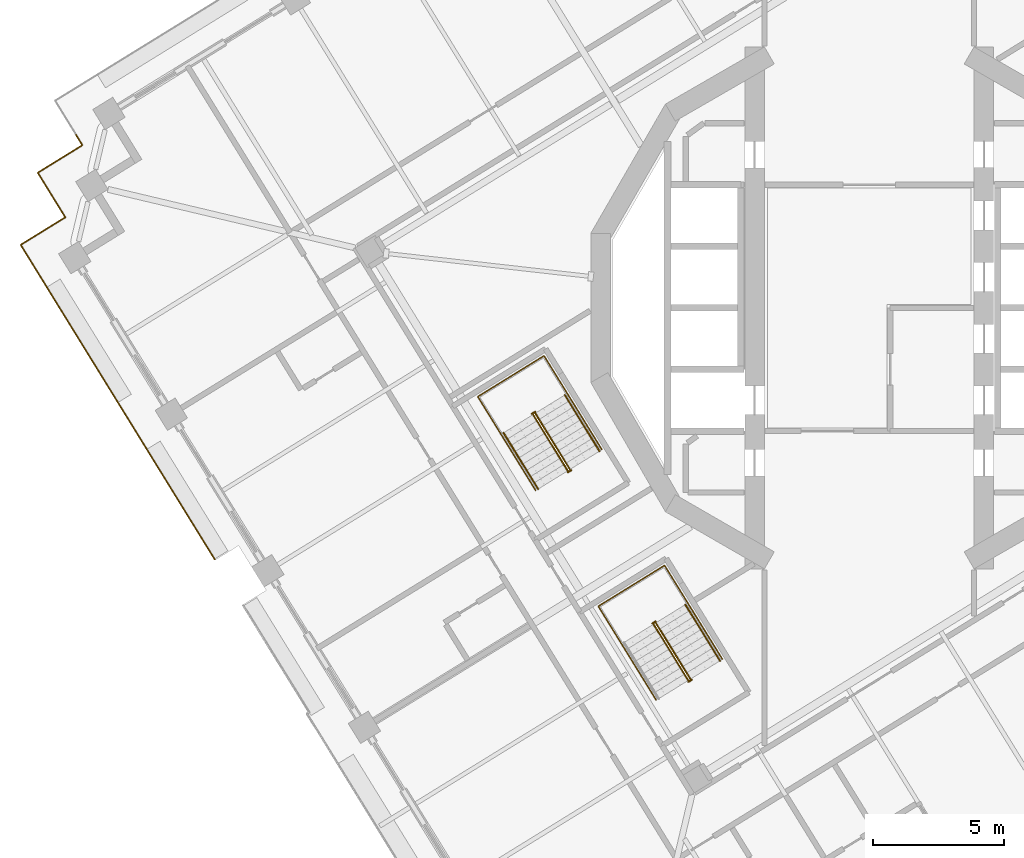
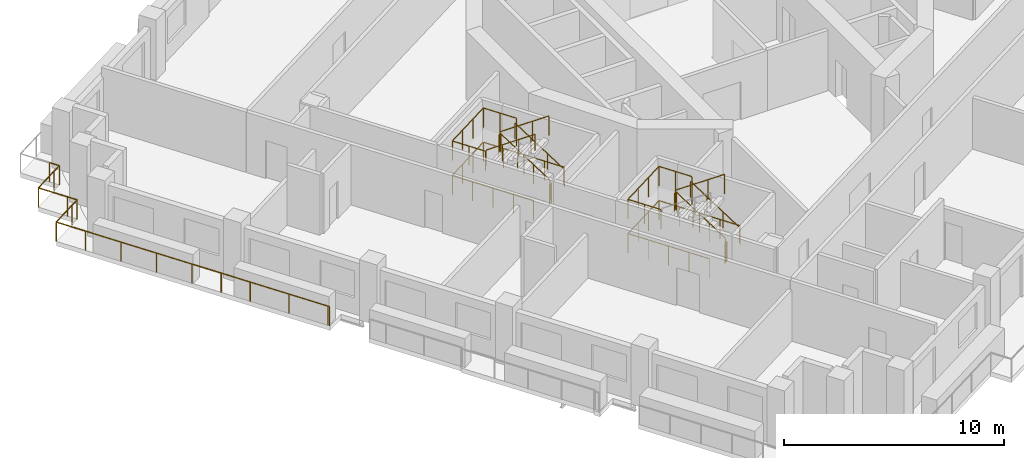
# One storey, part 15 of 21: 14 railings.
"""IFC4 building model written with IfcOpenShell, lengths in metres."""

from ifc_helpers import new_model, si_unit, direction, frame, origin, origin_2d, place, context, subcontext, project, spatial, circle, extrude, material, type_object, element, save


model = new_model("IFC4")

# Units and contexts
model_context = context("Model", 3, precision=1e-05, world=origin(), true_north=direction((0.0, 1.0)))
body_context = subcontext(model_context, "Body", "Model", "MODEL_VIEW")
ifc_project = project(units=[si_unit("LENGTHUNIT", "METRE"), si_unit("AREAUNIT", "SQUARE_METRE"), si_unit("VOLUMEUNIT", "CUBIC_METRE"), si_unit("PLANEANGLEUNIT", "RADIAN"), si_unit("MASSUNIT", "GRAM", prefix="KILO")], contexts=[model_context])

# Site, building, storey
site_placement = place(None, origin())
site = spatial("IfcSite", under=ifc_project, at=site_placement, CompositionType="ELEMENT")
building_placement = place(site_placement, origin())
building = spatial("IfcBuilding", under=site, at=building_placement, Name="Cantera Rosa Tower", CompositionType="ELEMENT")
storey_placement = place(building_placement, frame((0.0, 0.0, 185.60009765625)))
storey = spatial("IfcBuildingStorey", under=building, at=storey_placement, Name="L41", CompositionType="ELEMENT", Elevation=185.60009765625)

# Railings
ifc_material_1 = material(Name="Stainless steel and laminated glass", Category="steel")
railing_type_1 = type_object("IfcRailingType", Name="GUARD 1100", PredefinedType="BALUSTRADE", material=ifc_material_1)
railing_1_placement = place(storey_placement, frame((-24.977783203125, -9.602294921875, 0.0)))
element("IfcRailing", 1, at=railing_1_placement, inside=storey, type_object=railing_type_1, Name="GUARD L41-5", PredefinedType="BALUSTRADE", context=body_context, shape_type="SweptSolid", body=[
    extrude(circle(Radius=0.030029296875, at=origin_2d()), frame((0.0, 0.0, 1.070068359375), z_axis=(-0.523707774199, 0.851897979364, 0.0), x_axis=(-0.851897979364, -0.523707774199, 0.0)), (0.0, 0.0, 1.0), 0.06982421875),
    extrude(circle(Radius=0.030029296875, at=origin_2d()), frame((-0.03662109375, 0.0595703125, 1.070068359375), z_axis=(-0.525022161202, 0.851088556054, 0.0), x_axis=(-0.851088556054, -0.525022161202, 0.0)), (0.0, 0.0, 1.0), 4.02001953125),
    extrude(circle(Radius=0.030029296875, at=origin_2d()), frame((-2.147216796875, 3.48095703125, 1.070068359375), z_axis=(-0.524964362564, 0.851124208349, 0.0), x_axis=(-0.851124208349, -0.524964362564, 0.0)), (0.0, 0.0, 1.0), 3.0),
    extrude(circle(Radius=0.030029296875, at=origin_2d()), frame((-3.72216796875, 6.034423828125, 1.070068359375), z_axis=(-0.524968277683, 0.851121793533, 0.0), x_axis=(-0.851121793533, -0.524968277683, 0.0)), (0.0, 0.0, 1.0), 5.519775390625),
    extrude(circle(Radius=0.030029296875, at=origin_2d()), frame((-6.619873046875, 10.732421875, 1.070068359375), z_axis=(-0.524986950369, 0.851110276017, 0.0), x_axis=(-0.851110276017, -0.524986950369, 0.0)), (0.0, 0.0, 1.0), 1.500244140625),
    extrude(circle(Radius=0.030029296875, at=origin_2d()), frame((-7.407470703125, 12.00927734375, 1.070068359375), z_axis=(0.85118298814, 0.524869051004, 0.0), x_axis=(-0.524869051004, 0.85118298814, 0.0)), (0.0, 0.0, 1.0), 1.5),
    extrude(circle(Radius=0.030029296875, at=origin_2d()), frame((-6.130615234375, 12.796630859375, 1.070068359375), z_axis=(0.851138143202, 0.52494176933, 0.0), x_axis=(-0.52494176933, 0.851138143202, 0.0)), (0.0, 0.0, 1.0), 0.5),
    extrude(circle(Radius=0.030029296875, at=origin_2d()), frame((-5.705078125, 13.05908203125, 1.070068359375), z_axis=(-0.52494176933, 0.851138143202, 0.0), x_axis=(-0.851138143202, -0.52494176933, 0.0)), (0.0, 0.0, 1.0), 0.5),
    extrude(circle(Radius=0.030029296875, at=origin_2d()), frame((-5.967529296875, 13.484619140625, 1.070068359375), z_axis=(-0.524986950369, 0.851110276017, 0.0), x_axis=(-0.851110276017, -0.524986950369, 0.0)), (0.0, 0.0, 1.0), 1.500244140625),
    extrude(circle(Radius=0.030029296875, at=origin_2d()), frame((-6.755126953125, 14.761474609375, 1.070068359375), z_axis=(0.851138143202, 0.52494176933, 0.0), x_axis=(-0.52494176933, 0.851138143202, 0.0)), (0.0, 0.0, 1.0), 1.5),
    extrude(circle(Radius=0.030029296875, at=origin_2d()), frame((-5.478515625, 15.548828125, 1.070068359375), z_axis=(0.851138143202, 0.52494176933, 0.0), x_axis=(-0.52494176933, 0.851138143202, 0.0)), (0.0, 0.0, 1.0), 0.5),
    extrude(circle(Radius=0.030029296875, at=origin_2d()), frame((-5.052978515625, 15.811279296875, 1.070068359375), z_axis=(-0.52494176933, 0.851138143202, 0.0), x_axis=(-0.851138143202, -0.52494176933, 0.0)), (0.0, 0.0, 1.0), 0.5),
    extrude(circle(Radius=0.02490234375, at=origin_2d()), origin(), (0.0, 0.0, 1.0), 1.0400390625),
    extrude(circle(Radius=0.02490234375, at=origin_2d()), frame((-0.03662109375, 0.0595703125, 0.0)), (0.0, 0.0, 1.0), 1.0400390625),
    extrude(circle(Radius=0.02490234375, at=origin_2d()), frame((-1.091796875, 1.770263671875, 0.0)), (0.0, 0.0, 1.0), 1.0400390625),
    extrude(circle(Radius=0.02490234375, at=origin_2d()), frame((-2.147216796875, 3.48095703125, 0.0)), (0.0, 0.0, 1.0), 1.0400390625),
    extrude(circle(Radius=0.02490234375, at=origin_2d()), frame((-2.9345703125, 4.7578125, 0.0)), (0.0, 0.0, 1.0), 1.0400390625),
    extrude(circle(Radius=0.02490234375, at=origin_2d()), frame((-3.72216796875, 6.034423828125, 0.0)), (0.0, 0.0, 1.0), 1.0400390625),
    extrude(circle(Radius=0.02490234375, at=origin_2d()), frame((-4.68798828125, 7.600341796875, 0.0)), (0.0, 0.0, 1.0), 1.0400390625),
    extrude(circle(Radius=0.02490234375, at=origin_2d()), frame((-5.654052734375, 9.16650390625, 0.0)), (0.0, 0.0, 1.0), 1.0400390625),
    extrude(circle(Radius=0.02490234375, at=origin_2d()), frame((-6.619873046875, 10.732421875, 0.0)), (0.0, 0.0, 1.0), 1.0400390625),
    extrude(circle(Radius=0.02490234375, at=origin_2d()), frame((-7.407470703125, 12.00927734375, 0.0)), (0.0, 0.0, 1.0), 1.0400390625),
    extrude(circle(Radius=0.02490234375, at=origin_2d()), frame((-6.130615234375, 12.796630859375, 0.0)), (0.0, 0.0, 1.0), 1.0400390625),
    extrude(circle(Radius=0.02490234375, at=origin_2d()), frame((-5.705078125, 13.05908203125, 0.0)), (0.0, 0.0, 1.0), 1.0400390625),
    extrude(circle(Radius=0.02490234375, at=origin_2d()), frame((-5.967529296875, 13.484619140625, 0.0)), (0.0, 0.0, 1.0), 1.0400390625),
    extrude(circle(Radius=0.02490234375, at=origin_2d()), frame((-6.755126953125, 14.761474609375, 0.0)), (0.0, 0.0, 1.0), 1.0400390625),
    extrude(circle(Radius=0.02490234375, at=origin_2d()), frame((-5.478515625, 15.548828125, 0.0)), (0.0, 0.0, 1.0), 1.0400390625),
    extrude(circle(Radius=0.02490234375, at=origin_2d()), frame((-5.052978515625, 15.811279296875, 0.0)), (0.0, 0.0, 1.0), 1.0400390625),
    extrude(circle(Radius=0.02490234375, at=origin_2d()), frame((-5.3154296875, 16.23681640625, 0.0)), (0.0, 0.0, 1.0), 1.0400390625),
])
ifc_material_2 = material(Name="Steel S355J2 (EN 10025-2)", Category="steel")
railing_type_2 = type_object("IfcRailingType", Name="STAIR GUARD 1100", PredefinedType="GUARDRAIL", material=ifc_material_2)
railing_2_placement = place(storey_placement, frame((-11.42333984375, -6.165771484375, 0.18994140625)))
element("IfcRailing", 2, at=railing_2_placement, inside=storey, type_object=railing_type_2, Name="L41 ST-32 stair guard 1", PredefinedType="GUARDRAIL", context=body_context, shape_type="SweptSolid", body=[
    extrude(circle(Radius=0.02392578125, at=origin_2d()), frame((0.0, 0.0, 1.076171875), z_axis=(-0.434427613125, 0.704271375033, 0.561493080334), x_axis=(-0.851102330005, -0.524999832248, 0.0)), (0.0, 0.0, 1.0), 3.04541015625),
    extrude(circle(Radius=0.02392578125, at=origin_2d()), frame((-1.322998046875, 2.144775390625, 2.7861328125), z_axis=(-0.073711968402, 0.997279572494, 0.0), x_axis=(-0.997279572494, -0.073711968402, 0.0)), (0.0, 0.0, 1.0), 0.056396484375),
    extrude(circle(Radius=0.02392578125, at=origin_2d()), frame((-1.3271484375, 2.200927734375, 2.7861328125), z_axis=(-0.851546489876, -0.524279100842, 0.0), x_axis=(0.524279100842, -0.851546489876, 0.0)), (0.0, 0.0, 1.0), 0.14990234375),
    extrude(circle(Radius=0.02099609375, at=origin_2d()), origin(), (0.0, 0.0, 1.0), 1.052001953125),
    extrude(circle(Radius=0.02099609375, at=origin_2d()), frame((-0.44091796875, 0.71484375, 0.570068359375)), (0.0, 0.0, 1.0), 1.052001953125),
    extrude(circle(Radius=0.02099609375, at=origin_2d()), frame((-0.882080078125, 1.429931640625, 1.139892578125)), (0.0, 0.0, 1.0), 1.052001953125),
    extrude(circle(Radius=0.02099609375, at=origin_2d()), frame((-1.322998046875, 2.144775390625, 1.7099609375)), (0.0, 0.0, 1.0), 1.052001953125),
    extrude(circle(Radius=0.02099609375, at=origin_2d()), frame((-1.3271484375, 2.200927734375, 1.7099609375)), (0.0, 0.0, 1.0), 1.052001953125),
    extrude(circle(Radius=0.02099609375, at=origin_2d()), frame((-1.454833984375, 2.122314453125, 1.7099609375)), (0.0, 0.0, 1.0), 1.052001953125),
])
railing_3_placement = place(storey_placement, frame((-12.82958984375, -4.072509765625, 2.08984375)))
element("IfcRailing", 3, at=railing_3_placement, inside=storey, type_object=railing_type_2, Name="L41 ST-32 stair guard 2", PredefinedType="GUARDRAIL", context=body_context, shape_type="SweptSolid", body=[
    extrude(circle(Radius=0.02392578125, at=origin_2d()), frame((0.0, 0.0, 1.076171875), z_axis=(0.434362572038, -0.70429590169, 0.561512634654), x_axis=(0.851145618652, 0.524929648476, 0.0)), (0.0, 0.0, 1.0), 3.045166015625),
    extrude(circle(Radius=0.02099609375, at=origin_2d()), origin(), (0.0, 0.0, 1.0), 1.052001953125),
    extrude(circle(Radius=0.02099609375, at=origin_2d()), frame((0.44091796875, -0.71484375, 0.570068359375)), (0.0, 0.0, 1.0), 1.052001953125),
    extrude(circle(Radius=0.02099609375, at=origin_2d()), frame((0.8818359375, -1.429931640625, 1.139892578125)), (0.0, 0.0, 1.0), 1.052001953125),
    extrude(circle(Radius=0.02099609375, at=origin_2d()), frame((1.32275390625, -2.144775390625, 1.7099609375)), (0.0, 0.0, 1.0), 1.052001953125),
])
railing_4_placement = place(storey_placement, frame((-11.375, -6.19482421875, 0.0)))
element("IfcRailing", 4, at=railing_4_placement, inside=storey, type_object=railing_type_2, Name="L41 ST-32 stair guard 3", PredefinedType="GUARDRAIL", context=body_context, shape_type="SweptSolid", body=[
    extrude(circle(Radius=0.02392578125, at=origin_2d()), frame((0.0, 0.0, 1.076171875), z_axis=(-0.851546489876, -0.524279100842, 0.0), x_axis=(0.524279100842, -0.851546489876, 0.0)), (0.0, 0.0, 1.0), 0.14990234375),
    extrude(circle(Radius=0.02099609375, at=origin_2d()), origin(), (0.0, 0.0, 1.0), 1.052001953125),
    extrude(circle(Radius=0.02099609375, at=origin_2d()), frame((-0.127685546875, -0.07861328125, 0.0)), (0.0, 0.0, 1.0), 1.052001953125),
])
railing_5_placement = place(storey_placement, frame((-10.20751953125, -5.40185546875, 0.0)))
element("IfcRailing", 5, at=railing_5_placement, inside=storey, type_object=railing_type_2, Name="L41 ST-32 stair guard 4", PredefinedType="GUARDRAIL", context=body_context, shape_type="SweptSolid", body=[
    extrude(circle(Radius=0.02392578125, at=origin_2d()), frame((0.0, 0.0, 1.076171875), z_axis=(-0.524976478809, 0.851116735059, 0.0), x_axis=(-0.851116735059, -0.524976478809, 0.0)), (0.0, 0.0, 1.0), 4.197998046875),
    extrude(circle(Radius=0.02392578125, at=origin_2d()), frame((-2.203857421875, 3.572998046875, 1.076171875), z_axis=(-0.851132917336, -0.524950242429, 0.0), x_axis=(0.524950242429, -0.851132917336, 0.0)), (0.0, 0.0, 1.0), 2.969970703125),
    extrude(circle(Radius=0.02392578125, at=origin_2d()), frame((-4.731689453125, 2.013916015625, 1.076171875), z_axis=(0.524976478809, -0.851116735059, 0.0), x_axis=(0.851116735059, 0.524976478809, 0.0)), (0.0, 0.0, 1.0), 4.197998046875),
    extrude(circle(Radius=0.02099609375, at=origin_2d()), origin(), (0.0, 0.0, 1.0), 1.052001953125),
    extrude(circle(Radius=0.02099609375, at=origin_2d()), frame((-0.551025390625, 0.893310546875, 0.0)), (0.0, 0.0, 1.0), 1.052001953125),
    extrude(circle(Radius=0.02099609375, at=origin_2d()), frame((-1.10205078125, 1.78662109375, 0.0)), (0.0, 0.0, 1.0), 1.052001953125),
    extrude(circle(Radius=0.02099609375, at=origin_2d()), frame((-1.65283203125, 2.6796875, 0.0)), (0.0, 0.0, 1.0), 1.052001953125),
    extrude(circle(Radius=0.02099609375, at=origin_2d()), frame((-2.203857421875, 3.572998046875, 0.0)), (0.0, 0.0, 1.0), 1.052001953125),
    extrude(circle(Radius=0.02099609375, at=origin_2d()), frame((-3.04638671875, 3.05322265625, 0.0)), (0.0, 0.0, 1.0), 1.052001953125),
    extrude(circle(Radius=0.02099609375, at=origin_2d()), frame((-3.88916015625, 2.53369140625, 0.0)), (0.0, 0.0, 1.0), 1.052001953125),
    extrude(circle(Radius=0.02099609375, at=origin_2d()), frame((-4.731689453125, 2.013916015625, 0.0)), (0.0, 0.0, 1.0), 1.052001953125),
    extrude(circle(Radius=0.02099609375, at=origin_2d()), frame((-4.1806640625, 1.12060546875, 0.0)), (0.0, 0.0, 1.0), 1.052001953125),
    extrude(circle(Radius=0.02099609375, at=origin_2d()), frame((-3.6298828125, 0.2275390625, 0.0)), (0.0, 0.0, 1.0), 1.052001953125),
    extrude(circle(Radius=0.02099609375, at=origin_2d()), frame((-3.078857421875, -0.665771484375, 0.0)), (0.0, 0.0, 1.0), 1.052001953125),
    extrude(circle(Radius=0.02099609375, at=origin_2d()), frame((-2.52783203125, -1.55908203125, 0.0)), (0.0, 0.0, 1.0), 1.052001953125),
])
railing_6_placement = place(storey_placement, frame((-11.517822265625, -3.27734375, 1.89990234375)))
element("IfcRailing", 6, at=railing_6_placement, inside=storey, type_object=railing_type_2, Name="L41 ST-32 stair guard 5", PredefinedType="GUARDRAIL", context=body_context, shape_type="SweptSolid", body=[
    extrude(circle(Radius=0.02392578125, at=origin_2d()), frame((0.0, 0.0, 1.076171875), z_axis=(-0.525025534833, 0.851086474909, 0.0), x_axis=(-0.851086474909, -0.525025534833, 0.0)), (0.0, 0.0, 1.0), 1.701904296875),
    extrude(circle(Radius=0.02392578125, at=origin_2d()), frame((-0.8935546875, 1.448486328125, 1.076171875), z_axis=(-0.851132917336, -0.524950242429, 0.0), x_axis=(0.524950242429, -0.851132917336, 0.0)), (0.0, 0.0, 1.0), 2.969970703125),
    extrude(circle(Radius=0.02392578125, at=origin_2d()), frame((-3.42138671875, -0.110595703125, 1.076171875), z_axis=(0.524961441845, -0.851126009811, 0.0), x_axis=(0.851126009811, 0.524961441845, 0.0)), (0.0, 0.0, 1.0), 1.7021484375),
    extrude(circle(Radius=0.02099609375, at=origin_2d()), origin(), (0.0, 0.0, 1.0), 1.052001953125),
    extrude(circle(Radius=0.02099609375, at=origin_2d()), frame((-0.44677734375, 0.72412109375, 0.0)), (0.0, 0.0, 1.0), 1.052001953125),
    extrude(circle(Radius=0.02099609375, at=origin_2d()), frame((-0.8935546875, 1.448486328125, 0.0)), (0.0, 0.0, 1.0), 1.052001953125),
    extrude(circle(Radius=0.02099609375, at=origin_2d()), frame((-1.736083984375, 0.9287109375, 0.0)), (0.0, 0.0, 1.0), 1.052001953125),
    extrude(circle(Radius=0.02099609375, at=origin_2d()), frame((-2.578857421875, 0.4091796875, 0.0)), (0.0, 0.0, 1.0), 1.052001953125),
    extrude(circle(Radius=0.02099609375, at=origin_2d()), frame((-3.42138671875, -0.110595703125, 0.0)), (0.0, 0.0, 1.0), 1.052001953125),
    extrude(circle(Radius=0.02099609375, at=origin_2d()), frame((-2.974609375, -0.8349609375, 0.0)), (0.0, 0.0, 1.0), 1.052001953125),
    extrude(circle(Radius=0.02099609375, at=origin_2d()), frame((-2.52783203125, -1.559326171875, 0.0)), (0.0, 0.0, 1.0), 1.052001953125),
])
railing_7_placement = place(storey_placement, frame((-6.8232421875, -14.165771484375, 0.18994140625)))
element("IfcRailing", 7, at=railing_7_placement, inside=storey, type_object=railing_type_2, Name="L41 ST-33 stair guard 1", PredefinedType="GUARDRAIL", context=body_context, shape_type="SweptSolid", body=[
    extrude(circle(Radius=0.02392578125, at=origin_2d()), frame((0.0, 0.0, 1.076171875), z_axis=(-0.434427613125, 0.704271375033, 0.561493080334), x_axis=(-0.851102330005, -0.524999832248, 0.0)), (0.0, 0.0, 1.0), 3.04541015625),
    extrude(circle(Radius=0.02392578125, at=origin_2d()), frame((-1.322998046875, 2.144775390625, 2.7861328125), z_axis=(-0.073711968402, 0.997279572494, 0.0), x_axis=(-0.997279572494, -0.073711968402, 0.0)), (0.0, 0.0, 1.0), 0.056396484375),
    extrude(circle(Radius=0.02392578125, at=origin_2d()), frame((-1.3271484375, 2.200927734375, 2.7861328125), z_axis=(-0.851546489876, -0.524279100842, 0.0), x_axis=(0.524279100842, -0.851546489876, 0.0)), (0.0, 0.0, 1.0), 0.14990234375),
    extrude(circle(Radius=0.02099609375, at=origin_2d()), origin(), (0.0, 0.0, 1.0), 1.052001953125),
    extrude(circle(Radius=0.02099609375, at=origin_2d()), frame((-0.44091796875, 0.71484375, 0.570068359375)), (0.0, 0.0, 1.0), 1.052001953125),
    extrude(circle(Radius=0.02099609375, at=origin_2d()), frame((-0.882080078125, 1.429931640625, 1.139892578125)), (0.0, 0.0, 1.0), 1.052001953125),
    extrude(circle(Radius=0.02099609375, at=origin_2d()), frame((-1.322998046875, 2.144775390625, 1.7099609375)), (0.0, 0.0, 1.0), 1.052001953125),
    extrude(circle(Radius=0.02099609375, at=origin_2d()), frame((-1.3271484375, 2.200927734375, 1.7099609375)), (0.0, 0.0, 1.0), 1.052001953125),
    extrude(circle(Radius=0.02099609375, at=origin_2d()), frame((-1.454833984375, 2.122314453125, 1.7099609375)), (0.0, 0.0, 1.0), 1.052001953125),
])
railing_8_placement = place(storey_placement, frame((-8.229736328125, -12.072509765625, 2.08984375)))
element("IfcRailing", 8, at=railing_8_placement, inside=storey, type_object=railing_type_2, Name="L41 ST-33 stair guard 2", PredefinedType="GUARDRAIL", context=body_context, shape_type="SweptSolid", body=[
    extrude(circle(Radius=0.02392578125, at=origin_2d()), frame((0.0, 0.0, 1.076171875), z_axis=(0.434427613125, -0.704271375033, 0.561493080334), x_axis=(0.851102330005, 0.524999832248, 0.0)), (0.0, 0.0, 1.0), 3.04541015625),
    extrude(circle(Radius=0.02099609375, at=origin_2d()), origin(), (0.0, 0.0, 1.0), 1.052001953125),
    extrude(circle(Radius=0.02099609375, at=origin_2d()), frame((0.44091796875, -0.71484375, 0.570068359375)), (0.0, 0.0, 1.0), 1.052001953125),
    extrude(circle(Radius=0.02099609375, at=origin_2d()), frame((0.882080078125, -1.429931640625, 1.139892578125)), (0.0, 0.0, 1.0), 1.052001953125),
    extrude(circle(Radius=0.02099609375, at=origin_2d()), frame((1.322998046875, -2.144775390625, 1.7099609375)), (0.0, 0.0, 1.0), 1.052001953125),
])
railing_9_placement = place(storey_placement, frame((-6.77490234375, -14.19482421875, 0.0)))
element("IfcRailing", 9, at=railing_9_placement, inside=storey, type_object=railing_type_2, Name="L41 ST-33 stair guard 3", PredefinedType="GUARDRAIL", context=body_context, shape_type="SweptSolid", body=[
    extrude(circle(Radius=0.02392578125, at=origin_2d()), frame((0.0, 0.0, 1.076171875), z_axis=(-0.851546489876, -0.524279100842, 0.0), x_axis=(0.524279100842, -0.851546489876, 0.0)), (0.0, 0.0, 1.0), 0.14990234375),
    extrude(circle(Radius=0.02099609375, at=origin_2d()), origin(), (0.0, 0.0, 1.0), 1.052001953125),
    extrude(circle(Radius=0.02099609375, at=origin_2d()), frame((-0.127685546875, -0.07861328125, 0.0)), (0.0, 0.0, 1.0), 1.052001953125),
])
railing_10_placement = place(storey_placement, frame((-5.607421875, -13.40185546875, 0.0)))
element("IfcRailing", 10, at=railing_10_placement, inside=storey, type_object=railing_type_2, Name="L41 ST-33 stair guard 4", PredefinedType="GUARDRAIL", context=body_context, shape_type="SweptSolid", body=[
    extrude(circle(Radius=0.02392578125, at=origin_2d()), frame((0.0, 0.0, 1.076171875), z_axis=(-0.524976478809, 0.851116735059, 0.0), x_axis=(-0.851116735059, -0.524976478809, 0.0)), (0.0, 0.0, 1.0), 4.197998046875),
    extrude(circle(Radius=0.02392578125, at=origin_2d()), frame((-2.203857421875, 3.572998046875, 1.076171875), z_axis=(-0.851132917336, -0.524950242429, 0.0), x_axis=(0.524950242429, -0.851132917336, 0.0)), (0.0, 0.0, 1.0), 2.969970703125),
    extrude(circle(Radius=0.02392578125, at=origin_2d()), frame((-4.731689453125, 2.013916015625, 1.076171875), z_axis=(0.524976478809, -0.851116735059, 0.0), x_axis=(0.851116735059, 0.524976478809, 0.0)), (0.0, 0.0, 1.0), 4.197998046875),
    extrude(circle(Radius=0.02099609375, at=origin_2d()), origin(), (0.0, 0.0, 1.0), 1.052001953125),
    extrude(circle(Radius=0.02099609375, at=origin_2d()), frame((-0.551025390625, 0.893310546875, 0.0)), (0.0, 0.0, 1.0), 1.052001953125),
    extrude(circle(Radius=0.02099609375, at=origin_2d()), frame((-1.10205078125, 1.78662109375, 0.0)), (0.0, 0.0, 1.0), 1.052001953125),
    extrude(circle(Radius=0.02099609375, at=origin_2d()), frame((-1.65283203125, 2.6796875, 0.0)), (0.0, 0.0, 1.0), 1.052001953125),
    extrude(circle(Radius=0.02099609375, at=origin_2d()), frame((-2.203857421875, 3.572998046875, 0.0)), (0.0, 0.0, 1.0), 1.052001953125),
    extrude(circle(Radius=0.02099609375, at=origin_2d()), frame((-3.04638671875, 3.05322265625, 0.0)), (0.0, 0.0, 1.0), 1.052001953125),
    extrude(circle(Radius=0.02099609375, at=origin_2d()), frame((-3.88916015625, 2.53369140625, 0.0)), (0.0, 0.0, 1.0), 1.052001953125),
    extrude(circle(Radius=0.02099609375, at=origin_2d()), frame((-4.731689453125, 2.013916015625, 0.0)), (0.0, 0.0, 1.0), 1.052001953125),
    extrude(circle(Radius=0.02099609375, at=origin_2d()), frame((-4.1806640625, 1.12060546875, 0.0)), (0.0, 0.0, 1.0), 1.052001953125),
    extrude(circle(Radius=0.02099609375, at=origin_2d()), frame((-3.6298828125, 0.2275390625, 0.0)), (0.0, 0.0, 1.0), 1.052001953125),
    extrude(circle(Radius=0.02099609375, at=origin_2d()), frame((-3.078857421875, -0.665771484375, 0.0)), (0.0, 0.0, 1.0), 1.052001953125),
    extrude(circle(Radius=0.02099609375, at=origin_2d()), frame((-2.52783203125, -1.55908203125, 0.0)), (0.0, 0.0, 1.0), 1.052001953125),
])
railing_11_placement = place(storey_placement, frame((-6.917724609375, -11.27734375, 1.89990234375)))
element("IfcRailing", 11, at=railing_11_placement, inside=storey, type_object=railing_type_2, Name="L41 ST-33 stair guard 5", PredefinedType="GUARDRAIL", context=body_context, shape_type="SweptSolid", body=[
    extrude(circle(Radius=0.02392578125, at=origin_2d()), frame((0.0, 0.0, 1.076171875), z_axis=(-0.525025534833, 0.851086474909, 0.0), x_axis=(-0.851086474909, -0.525025534833, 0.0)), (0.0, 0.0, 1.0), 1.701904296875),
    extrude(circle(Radius=0.02392578125, at=origin_2d()), frame((-0.8935546875, 1.448486328125, 1.076171875), z_axis=(-0.851132917336, -0.524950242429, 0.0), x_axis=(0.524950242429, -0.851132917336, 0.0)), (0.0, 0.0, 1.0), 2.969970703125),
    extrude(circle(Radius=0.02392578125, at=origin_2d()), frame((-3.42138671875, -0.110595703125, 1.076171875), z_axis=(0.524961441845, -0.851126009811, 0.0), x_axis=(0.851126009811, 0.524961441845, 0.0)), (0.0, 0.0, 1.0), 1.7021484375),
    extrude(circle(Radius=0.02099609375, at=origin_2d()), origin(), (0.0, 0.0, 1.0), 1.052001953125),
    extrude(circle(Radius=0.02099609375, at=origin_2d()), frame((-0.44677734375, 0.72412109375, 0.0)), (0.0, 0.0, 1.0), 1.052001953125),
    extrude(circle(Radius=0.02099609375, at=origin_2d()), frame((-0.8935546875, 1.448486328125, 0.0)), (0.0, 0.0, 1.0), 1.052001953125),
    extrude(circle(Radius=0.02099609375, at=origin_2d()), frame((-1.736083984375, 0.9287109375, 0.0)), (0.0, 0.0, 1.0), 1.052001953125),
    extrude(circle(Radius=0.02099609375, at=origin_2d()), frame((-2.578857421875, 0.4091796875, 0.0)), (0.0, 0.0, 1.0), 1.052001953125),
    extrude(circle(Radius=0.02099609375, at=origin_2d()), frame((-3.42138671875, -0.110595703125, 0.0)), (0.0, 0.0, 1.0), 1.052001953125),
    extrude(circle(Radius=0.02099609375, at=origin_2d()), frame((-2.974609375, -0.8349609375, 0.0)), (0.0, 0.0, 1.0), 1.052001953125),
    extrude(circle(Radius=0.02099609375, at=origin_2d()), frame((-2.52783203125, -1.559326171875, 0.0)), (0.0, 0.0, 1.0), 1.052001953125),
])
ifc_material_3 = material(Name="Steel S355J2 (EN 10025-2)", Category="steel")
railing_type_3 = type_object("IfcRailingType", Name="STAIR HANDRAIL 900", PredefinedType="HANDRAIL", material=ifc_material_3)
railing_12_placement = place(storey_placement, frame((-10.294677734375, -5.4697265625, 0.18994140625)))
element("IfcRailing", 12, at=railing_12_placement, inside=storey, type_object=railing_type_3, Name="L41 ST-32 stair handrail 1", PredefinedType="HANDRAIL", context=body_context, shape_type="SweptSolid", body=[
    extrude(circle(Radius=0.02392578125, at=origin_2d()), frame((0.0, 0.0, 0.8759765625), z_axis=(-0.434427613125, 0.704271375033, 0.561493080334), x_axis=(-0.851102330005, -0.524999832248, 0.0)), (0.0, 0.0, 1.0), 3.04541015625),
    extrude(circle(Radius=0.02099609375, at=origin_2d()), origin(), (0.0, 0.0, 1.0), 0.851806640625),
    extrude(circle(Radius=0.02099609375, at=origin_2d()), frame((-0.44091796875, 0.71484375, 0.570068359375)), (0.0, 0.0, 1.0), 0.851806640625),
    extrude(circle(Radius=0.02099609375, at=origin_2d()), frame((-0.882080078125, 1.429931640625, 1.139892578125)), (0.0, 0.0, 1.0), 0.851806640625),
    extrude(circle(Radius=0.02099609375, at=origin_2d()), frame((-1.322998046875, 2.144775390625, 1.7099609375)), (0.0, 0.0, 1.0), 0.851806640625),
])
railing_13_placement = place(storey_placement, frame((-13.958251953125, -4.7685546875, 2.08984375)))
element("IfcRailing", 13, at=railing_13_placement, inside=storey, type_object=railing_type_3, Name="L41 ST-32 stair handrail 2", PredefinedType="HANDRAIL", context=body_context, shape_type="SweptSolid", body=[
    extrude(circle(Radius=0.02392578125, at=origin_2d()), frame((0.0, 0.0, 0.8759765625), z_axis=(0.434427613125, -0.704271375033, 0.561493080334), x_axis=(0.851102330005, 0.524999832248, 0.0)), (0.0, 0.0, 1.0), 3.04541015625),
    extrude(circle(Radius=0.02099609375, at=origin_2d()), origin(), (0.0, 0.0, 1.0), 0.851806640625),
    extrude(circle(Radius=0.02099609375, at=origin_2d()), frame((0.44091796875, -0.71484375, 0.570068359375)), (0.0, 0.0, 1.0), 0.851806640625),
    extrude(circle(Radius=0.02099609375, at=origin_2d()), frame((0.882080078125, -1.429931640625, 1.139892578125)), (0.0, 0.0, 1.0), 0.851806640625),
    extrude(circle(Radius=0.02099609375, at=origin_2d()), frame((1.322998046875, -2.144775390625, 1.7099609375)), (0.0, 0.0, 1.0), 0.851806640625),
])
railing_14_placement = place(storey_placement, frame((-5.69482421875, -13.4697265625, 0.18994140625)))
element("IfcRailing", 14, at=railing_14_placement, inside=storey, type_object=railing_type_3, Name="L41 ST-33 stair handrail 1", PredefinedType="HANDRAIL", context=body_context, shape_type="SweptSolid", body=[
    extrude(circle(Radius=0.02392578125, at=origin_2d()), frame((0.0, 0.0, 0.8759765625), z_axis=(-0.434362572038, 0.70429590169, 0.561512634654), x_axis=(-0.851145618652, -0.524929648476, 0.0)), (0.0, 0.0, 1.0), 3.045166015625),
    extrude(circle(Radius=0.02099609375, at=origin_2d()), origin(), (0.0, 0.0, 1.0), 0.851806640625),
    extrude(circle(Radius=0.02099609375, at=origin_2d()), frame((-0.44091796875, 0.71484375, 0.570068359375)), (0.0, 0.0, 1.0), 0.851806640625),
    extrude(circle(Radius=0.02099609375, at=origin_2d()), frame((-0.8818359375, 1.429931640625, 1.139892578125)), (0.0, 0.0, 1.0), 0.851806640625),
    extrude(circle(Radius=0.02099609375, at=origin_2d()), frame((-1.32275390625, 2.144775390625, 1.7099609375)), (0.0, 0.0, 1.0), 0.851806640625),
])

save(model, "model.ifc")
